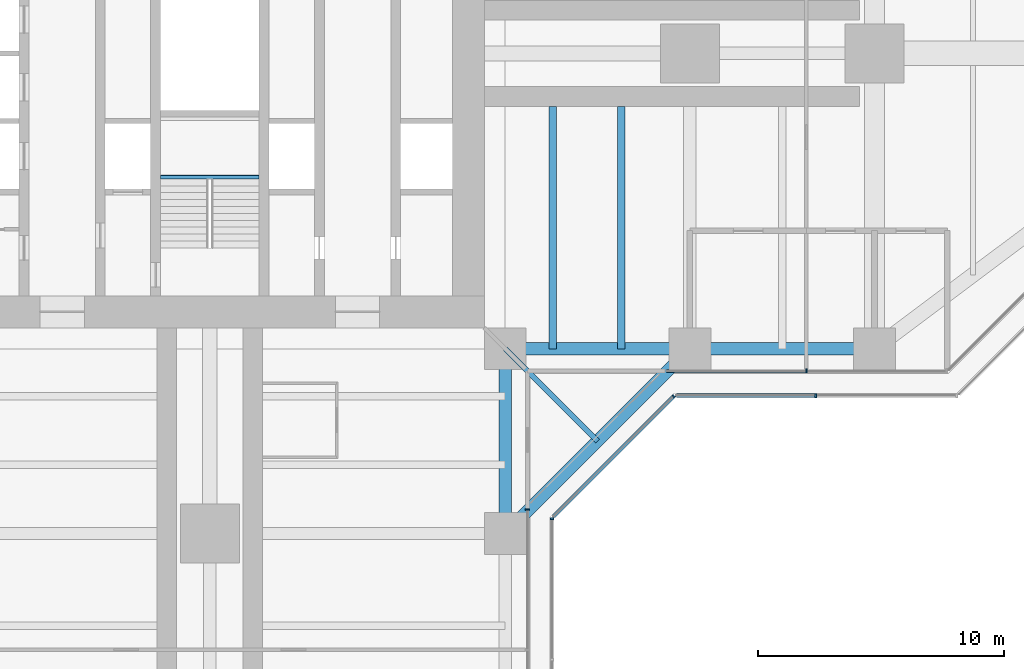
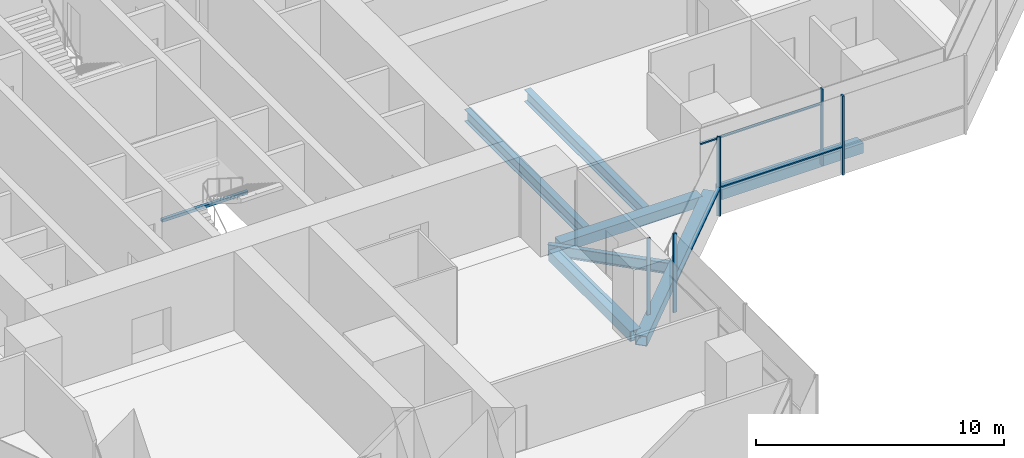
# One storey, part 6 of 22: 8 beams, 8 members, 5 elements without a shape of their own.
"""IFC4 building model written with IfcOpenShell, lengths in metres."""

from ifc_helpers import new_model, si_unit, direction, frame, origin, origin_2d, place, context, subcontext, project, spatial, rectangle, hollow_rectangle, i_section, extrude, material, material_profile, profile_set, type_object, element, aggregate, save


model = new_model("IFC4")

# Units and contexts
model_context = context("Model", 3, precision=1e-05, world=origin(), true_north=direction((0.0, 1.0)))
body_context = subcontext(model_context, "Body", "Model", "MODEL_VIEW")
ifc_project = project(units=[si_unit("LENGTHUNIT", "METRE"), si_unit("AREAUNIT", "SQUARE_METRE"), si_unit("VOLUMEUNIT", "CUBIC_METRE"), si_unit("PLANEANGLEUNIT", "RADIAN"), si_unit("MASSUNIT", "GRAM", prefix="KILO")], contexts=[model_context])

# Site, building, storey
site_placement = place(None, origin())
site = spatial("IfcSite", under=ifc_project, at=site_placement, CompositionType="ELEMENT")
building_placement = place(site_placement, origin())
building = spatial("IfcBuilding", under=site, at=building_placement, Name="Mizan Broadcast Tower", CompositionType="ELEMENT")
storey_placement = place(building_placement, frame((0.0, 0.0, 82.5)))
storey = spatial("IfcBuildingStorey", under=building, at=storey_placement, Name="L17", CompositionType="ELEMENT", Elevation=82.5)

# Beams
ifc_material_1 = material(Name="Steel S355", Category="steel")
ifc_material_profile_1 = material_profile(ifc_material_1, hollow_rectangle(XDim=0.5, YDim=0.5, WallThickness=0.030029296875, at=origin_2d()), Name="BOX 500x500x30")
ifc_profile_set_1 = profile_set([ifc_material_profile_1], Name="Steel S355")
beam_type_1 = type_object("IfcBeamType", Name="EDGE BEAM BOX 500x500x30", PredefinedType="SPANDREL", material=ifc_profile_set_1)
for number, where, z_axis, x_axis, name in (
    (1, (12.449951171875, -12.0, -0.3798828125), (1.0, 0.0, 0.0), (0.0, 1.0, 0.0), "Edge beam BOX 500x500x30 L17 east arm"),
    (2, (19.949951171875, -12.0, -0.3798828125), (1.0, 0.0, 0.0), (0.0, 1.0, 0.0), "Edge beam BOX 500x500x30 L17 east arm"),
    (3, (12.0, -12.449951171875, -0.3798828125), (0.0, -1.0, 0.0), (1.0, 0.0, 0.0), "Edge beam BOX 500x500x30 L17 south arm"),
):
    element("IfcBeam", number, at=place(storey_placement, frame(where, z_axis=z_axis, x_axis=x_axis)), inside=storey, type_object=beam_type_1, Name=name, PredefinedType="SPANDREL", context=body_context, shape_type="SweptSolid", body=[
        extrude(hollow_rectangle(XDim=0.5, YDim=0.5, WallThickness=0.030029296875, at=origin_2d()), origin(), (0.0, 0.0, 1.0), 6.60009765625),
    ])
beam_1_placement = place(storey_placement, frame((12.0, -19.5, -0.3798828125), z_axis=(0.707106781187, 0.707106781187, 0.0), x_axis=(-0.707106781187, 0.707106781187, 0.0)))
element("IfcBeam", 4, at=beam_1_placement, inside=storey, type_object=beam_type_1, Name="Winter garden edge beam L17 S", PredefinedType="SPANDREL", context=body_context, shape_type="SweptSolid", body=[
    extrude(hollow_rectangle(XDim=0.5, YDim=0.5, WallThickness=0.030029296875, at=origin_2d()), origin(), (0.0, 0.0, 1.0), 10.606689453125),
])

# Curtain wall, member
ifc_material_2 = material(Name="Aluminium framed glazing", Category="aluminium")
curtain_wall_type_1 = type_object("IfcCurtainWallType", Name="INNER SKIN LOW ZONE", PredefinedType="USERDEFINED", material=ifc_material_2)
curtain_wall_1_placement = place(storey_placement, origin())
curtain_wall_1 = element("IfcCurtainWall", 5, at=curtain_wall_1_placement, inside=storey, type_object=curtain_wall_type_1, Name="Inner skin low zone L17 E side", ObjectType="INNER SKIN LOW ZONE", PredefinedType="USERDEFINED")
ifc_material_3 = material(Name="Aluminium, pale anodised", Category="aluminium")
ifc_material_profile_2 = material_profile(ifc_material_3, rectangle(XDim=0.159912109375, YDim=0.06005859375, at=origin_2d()), Name="MULLION 160x60")
ifc_profile_set_2 = profile_set([ifc_material_profile_2], Name="Aluminium, pale anodised")
member_type_1 = type_object("IfcMemberType", Name="INNER SKIN MULLION 60x160", PredefinedType="MULLION", material=ifc_profile_set_2)
member_1_placement = place(storey_placement, frame((24.229248046875, -12.89990234375, 0.0), z_axis=(0.0, 0.0, 1.0), x_axis=(0.0, 1.0, 0.0)))
member_1 = element("IfcMember", 6, at=member_1_placement, type_object=member_type_1, Name="Inner skin low zone L17 E side mullion 2", PredefinedType="MULLION", context=body_context, shape_type="SweptSolid", body=[
    extrude(rectangle(XDim=0.159912109375, YDim=0.06005859375, at=origin_2d()), origin(), (0.0, 0.0, 1.0), 3.77001953125),
])

curtain_wall_2_placement = place(storey_placement, origin())
curtain_wall_2 = element("IfcCurtainWall", 7, at=curtain_wall_2_placement, inside=storey, type_object=curtain_wall_type_1, Name="Inner skin low zone L17 S side", ObjectType="INNER SKIN LOW ZONE", PredefinedType="USERDEFINED")
member_2_placement = place(storey_placement, frame((12.89990234375, -18.530029296875, 0.0), z_axis=(0.0, 0.0, 1.0), x_axis=(-1.0, 0.0, 0.0)))
member_2 = element("IfcMember", 8, at=member_2_placement, type_object=member_type_1, Name="Inner skin low zone L17 S side mullion 3", PredefinedType="MULLION", context=body_context, shape_type="SweptSolid", body=[
    extrude(rectangle(XDim=0.159912109375, YDim=0.06005859375, at=origin_2d()), origin(), (0.0, 0.0, 1.0), 3.77001953125),
])
aggregate(curtain_wall_2, [member_2])

# Member
ifc_material_4 = material(Name="Aluminium, pale anodised", Category="aluminium")
ifc_material_profile_3 = material_profile(ifc_material_4, rectangle(XDim=0.1201171875, YDim=0.06005859375, at=origin_2d()), Name="TRANSOM 120x60")
ifc_profile_set_3 = profile_set([ifc_material_profile_3], Name="Aluminium, pale anodised")
member_type_2 = type_object("IfcMemberType", Name="INNER SKIN TRANSOM 60x120", PredefinedType="USERDEFINED", material=ifc_profile_set_3)
member_3_placement = place(storey_placement, frame((18.56005859375, -12.89990234375, 3.030029296875), z_axis=(1.0, 0.0, 0.0), x_axis=(0.0, 1.0, 0.0)))
member_3 = element("IfcMember", 9, at=member_3_placement, type_object=member_type_2, Name="Inner skin low zone L17 E side transom 1.1", ObjectType="TRANSOM", PredefinedType="USERDEFINED", context=body_context, shape_type="SweptSolid", body=[
    extrude(rectangle(XDim=0.1201171875, YDim=0.06005859375, at=origin_2d()), origin(), (0.0, 0.0, 1.0), 5.63916015625),
])

aggregate(curtain_wall_1, [member_1, member_3])

# Beam
ifc_material_5 = material(Name="Steel S355", Category="steel")
ifc_material_profile_4 = material_profile(ifc_material_5, hollow_rectangle(XDim=0.14990234375, YDim=0.14990234375, WallThickness=0.008056640625, InnerFilletRadius=0.008056640625, OuterFilletRadius=0.011962890625, at=origin_2d()), Name="SHS 150x150x8")
ifc_profile_set_4 = profile_set([ifc_material_profile_4], Name="Steel S355")
beam_type_2 = type_object("IfcBeamType", Name="LANDING TRIMMER SHS 150x150x8", PredefinedType="BEAM", material=ifc_profile_set_4)
beam_2_placement = place(storey_placement, frame((-2.0, -5.02490234375, 1.675048828125), z_axis=(1.0, 0.0, 0.0), x_axis=(0.0, 1.0, 0.0)))
element("IfcBeam", 10, at=beam_2_placement, inside=storey, type_object=beam_type_2, Name="Stair A landing trimmer L17", PredefinedType="BEAM", context=body_context, shape_type="SweptSolid", body=[
    extrude(hollow_rectangle(XDim=0.14990234375, YDim=0.14990234375, WallThickness=0.008056640625, InnerFilletRadius=0.008056640625, OuterFilletRadius=0.011962890625, at=origin_2d()), origin(), (0.0, 0.0, 1.0), 4.0),
])

# Curtain wall, member
ifc_material_6 = material(Name="Aluminium framed glazing", Category="aluminium")
curtain_wall_type_2 = type_object("IfcCurtainWallType", Name="OUTER SKIN", PredefinedType="USERDEFINED", material=ifc_material_6)
curtain_wall_3_placement = place(storey_placement, origin())
curtain_wall_3 = element("IfcCurtainWall", 11, at=curtain_wall_3_placement, inside=storey, type_object=curtain_wall_type_2, Name="Outer skin L17 S side", ObjectType="OUTER SKIN", PredefinedType="USERDEFINED")
ifc_material_7 = material(Name="Aluminium, pale anodised", Category="aluminium")
ifc_material_profile_5 = material_profile(ifc_material_7, rectangle(XDim=0.159912109375, YDim=0.080078125, at=origin_2d()), Name="MULLION 160x80")
ifc_profile_set_5 = profile_set([ifc_material_profile_5], Name="Aluminium, pale anodised")
member_type_3 = type_object("IfcMemberType", Name="OUTER SKIN MULLION 80x160", PredefinedType="MULLION", material=ifc_profile_set_5)
member_4_placement = place(storey_placement, frame((13.89990234375, -18.912841796875, 0.0), z_axis=(0.0, 0.0, 1.0), x_axis=(-1.0, 0.0, 0.0)))
member_4 = element("IfcMember", 12, at=member_4_placement, type_object=member_type_3, Name="Outer skin L17 S side mullion 3", PredefinedType="MULLION", context=body_context, shape_type="SweptSolid", body=[
    extrude(rectangle(XDim=0.159912109375, YDim=0.080078125, at=origin_2d()), origin(), (0.0, 0.0, 1.0), 3.89990234375),
])
aggregate(curtain_wall_3, [member_4])

curtain_wall_4_placement = place(storey_placement, origin())
curtain_wall_4 = element("IfcCurtainWall", 13, at=curtain_wall_4_placement, inside=storey, type_object=curtain_wall_type_2, Name="Outer skin L17 E chamfer", ObjectType="OUTER SKIN", PredefinedType="USERDEFINED")
member_5_placement = place(storey_placement, frame((18.844482421875, -13.92822265625, 0.0), z_axis=(0.0, 0.0, 1.0), x_axis=(-0.707106781187, 0.707106781187, 0.0)))
member_5 = element("IfcMember", 14, at=member_5_placement, type_object=member_type_3, Name="Outer skin L17 E chamfer mullion 2", PredefinedType="MULLION", context=body_context, shape_type="SweptSolid", body=[
    extrude(rectangle(XDim=0.159912109375, YDim=0.080078125, at=origin_2d()), origin(), (0.0, 0.0, 1.0), 3.89990234375),
])

curtain_wall_5_placement = place(storey_placement, origin())
curtain_wall_5 = element("IfcCurtainWall", 15, at=curtain_wall_5_placement, inside=storey, type_object=curtain_wall_type_2, Name="Outer skin L17 E side", ObjectType="OUTER SKIN", PredefinedType="USERDEFINED")
member_6_placement = place(storey_placement, frame((24.622802734375, -13.89990234375, 0.0), z_axis=(0.0, 0.0, 1.0), x_axis=(0.0, 1.0, 0.0)))
member_6 = element("IfcMember", 16, at=member_6_placement, type_object=member_type_3, Name="Outer skin L17 E side mullion 2", PredefinedType="MULLION", context=body_context, shape_type="SweptSolid", body=[
    extrude(rectangle(XDim=0.159912109375, YDim=0.080078125, at=origin_2d()), origin(), (0.0, 0.0, 1.0), 3.89990234375),
])

# Member
ifc_material_8 = material(Name="Aluminium, pale anodised", Category="aluminium")
ifc_material_profile_6 = material_profile(ifc_material_8, rectangle(XDim=0.159912109375, YDim=0.06005859375, at=origin_2d()), Name="TRANSOM 160x60")
ifc_profile_set_6 = profile_set([ifc_material_profile_6], Name="Aluminium, pale anodised")
member_type_4 = type_object("IfcMemberType", Name="OUTER SKIN TRANSOM 60x160", PredefinedType="USERDEFINED", material=ifc_profile_set_6)
member_7_placement = place(storey_placement, frame((13.95654296875, -18.816162109375, 1.39990234375), z_axis=(0.707106781187, 0.707106781187, 0.0), x_axis=(-0.707106781187, 0.707106781187, 0.0)))
member_7 = element("IfcMember", 17, at=member_7_placement, type_object=member_type_4, Name="Outer skin L17 E chamfer transom 1.1", ObjectType="TRANSOM", PredefinedType="USERDEFINED", context=body_context, shape_type="SweptSolid", body=[
    extrude(rectangle(XDim=0.159912109375, YDim=0.06005859375, at=origin_2d()), origin(), (0.0, 0.0, 1.0), 6.87255859375),
])

aggregate(curtain_wall_4, [member_5, member_7])

member_8_placement = place(storey_placement, frame((18.952880859375, -13.89990234375, 1.39990234375), z_axis=(1.0, 0.0, 0.0), x_axis=(0.0, 1.0, 0.0)))
member_8 = element("IfcMember", 18, at=member_8_placement, type_object=member_type_4, Name="Outer skin L17 E side transom 1.1", ObjectType="TRANSOM", PredefinedType="USERDEFINED", context=body_context, shape_type="SweptSolid", body=[
    extrude(rectangle(XDim=0.159912109375, YDim=0.06005859375, at=origin_2d()), origin(), (0.0, 0.0, 1.0), 5.6298828125),
])

aggregate(curtain_wall_5, [member_6, member_8])

# Beams
ifc_material_9 = material(Name="Steel S355", Category="steel")
ifc_material_profile_7 = material_profile(ifc_material_9, i_section(OverallWidth=0.300048828125, OverallDepth=0.590087890625, WebThickness=0.012939453125, FlangeThickness=0.02490234375, FilletRadius=0.027099609375, at=origin_2d()), Name="HEA 600")
ifc_profile_set_7 = profile_set([ifc_material_profile_7], Name="Steel S355")
beam_type_3 = type_object("IfcBeamType", Name="SECONDARY BEAM HEA 600", PredefinedType="JOIST", material=ifc_profile_set_7)
for number, where, z_axis, x_axis, name in (
    (19, (13.933349609375, -12.0, -0.425048828125), (0.0, 1.0, 0.0), (-1.0, 0.0, 0.0), "Secondary beam HEA 600 L17 east arm"),
    (20, (16.716552734375, -12.0, -0.425048828125), (0.0, 1.0, 0.0), (-1.0, 0.0, 0.0), "Secondary beam HEA 600 L17 east arm"),
):
    element("IfcBeam", number, at=place(storey_placement, frame(where, z_axis=z_axis, x_axis=x_axis)), inside=storey, type_object=beam_type_3, Name=name, PredefinedType="JOIST", context=body_context, shape_type="SweptSolid", body=[
        extrude(i_section(OverallWidth=0.300048828125, OverallDepth=0.590087890625, WebThickness=0.012939453125, FlangeThickness=0.02490234375, FilletRadius=0.027099609375, at=origin_2d()), origin(), (0.0, 0.0, 1.0), 9.85009765625),
    ])
ifc_material_10 = material(Name="Steel S355", Category="steel")
ifc_material_profile_8 = material_profile(ifc_material_10, i_section(OverallWidth=0.2099609375, OverallDepth=0.550048828125, WebThickness=0.010986328125, FlangeThickness=0.01708984375, FilletRadius=0.02392578125, at=origin_2d()), Name="IPE 550")
ifc_profile_set_8 = profile_set([ifc_material_profile_8], Name="Steel S355")
beam_type_4 = type_object("IfcBeamType", Name="SECONDARY BEAM IPE 550", PredefinedType="JOIST", material=ifc_profile_set_8)
beam_3_placement = place(storey_placement, frame((12.0, -12.0, -0.405029296875), z_axis=(0.707106781187, -0.707106781187, 0.0), x_axis=(0.707106781187, 0.707106781187, 0.0)))
element("IfcBeam", 21, at=beam_3_placement, inside=storey, type_object=beam_type_4, Name="Winter garden beam L17 S", PredefinedType="JOIST", context=body_context, shape_type="SweptSolid", body=[
    extrude(i_section(OverallWidth=0.2099609375, OverallDepth=0.550048828125, WebThickness=0.010986328125, FlangeThickness=0.01708984375, FilletRadius=0.02392578125, at=origin_2d()), origin(), (0.0, 0.0, 1.0), 5.30322265625),
])

save(model, "model.ifc")
